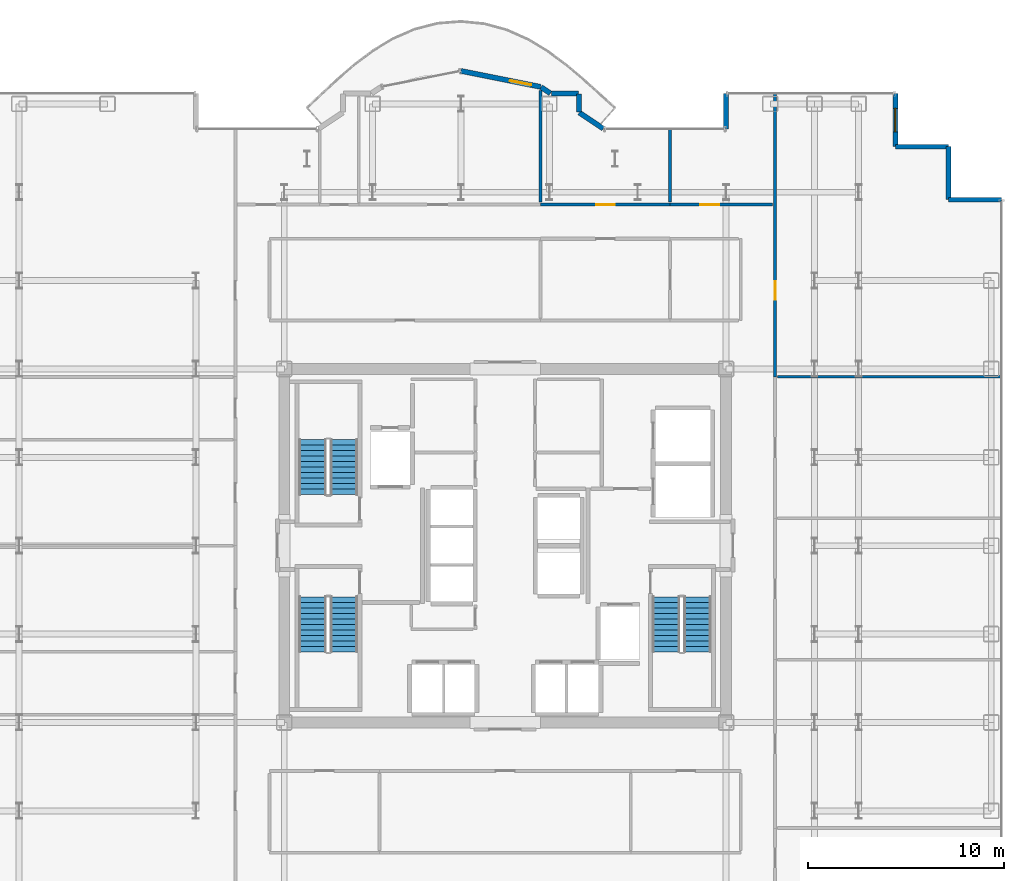
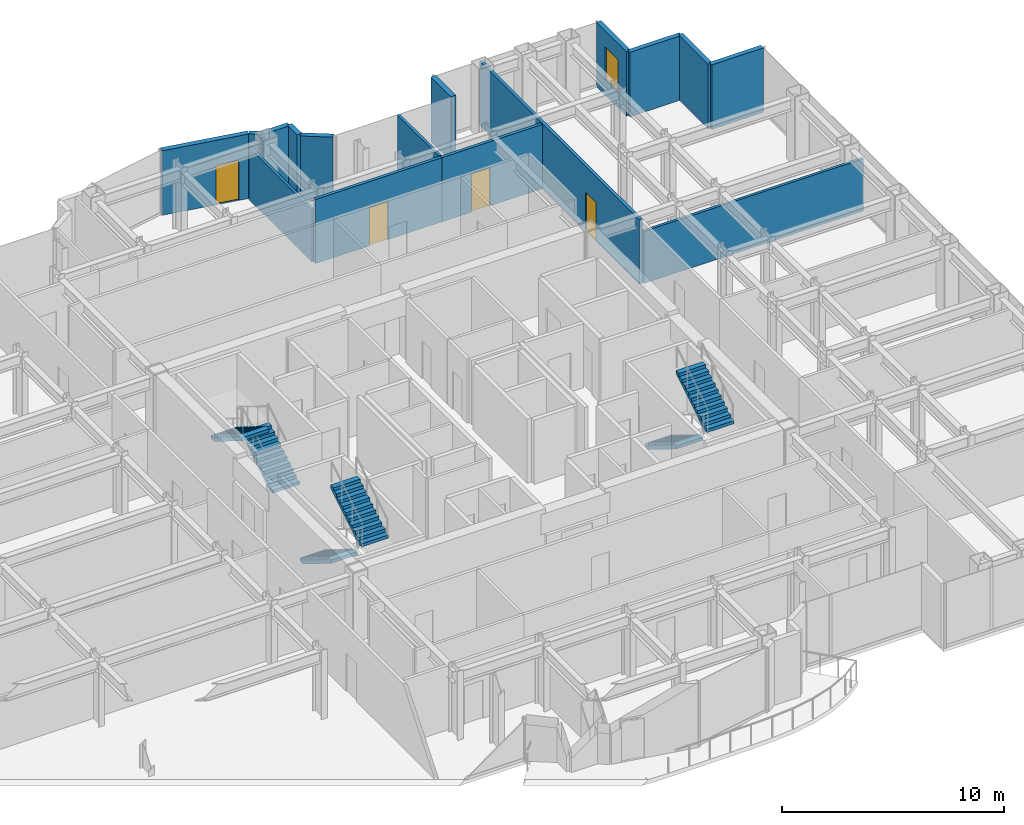
# One storey, part 20 of 22: 16 walls, 6 stair flights, 4 doors, 1 window, 5 openings, 3 elements without a shape of their own.
"""IFC4 building model written with IfcOpenShell, lengths in metres."""

from ifc_helpers import new_model, si_unit, direction, frame, frame_2d, origin, place, context, subcontext, project, spatial, polyline, rectangle, outline, extrude, source, transform, mapped, material, layer, layer_set, type_object, element, fill, aggregate, save


model = new_model("IFC4")

# Units and contexts
model_context = context("Model", 3, precision=1e-05, world=origin(), true_north=direction((0.0, 1.0)))
body_context = subcontext(model_context, "Body", "Model", "MODEL_VIEW")
ifc_project = project(units=[si_unit("LENGTHUNIT", "METRE"), si_unit("AREAUNIT", "SQUARE_METRE"), si_unit("VOLUMEUNIT", "CUBIC_METRE"), si_unit("PLANEANGLEUNIT", "RADIAN"), si_unit("MASSUNIT", "GRAM", prefix="KILO")], contexts=[model_context])

# Site, building, storey
site_placement = place(None, origin())
site = spatial("IfcSite", under=ifc_project, at=site_placement, CompositionType="ELEMENT")
building_placement = place(site_placement, origin())
building = spatial("IfcBuilding", under=site, at=building_placement, Name="Nefas-Gora Pilgrimage Tower", CompositionType="ELEMENT")
storey_placement = place(building_placement, frame((0.0, 0.0, 186.800048828125)))
storey = spatial("IfcBuildingStorey", under=building, at=storey_placement, Name="L46", CompositionType="ELEMENT", Elevation=186.800048828125)

# Walls
ifc_material_1 = material(Name="Precast concrete C40/50", Category="concrete")
ifc_layer_1 = layer(ifc_material_1, 0.260009765625)
ifc_layer_set_1 = layer_set([ifc_layer_1], Name="Precast concrete C40/50")
wall_type_1 = type_object("IfcWallType", Name="EW-PORTAL-260", PredefinedType="SOLIDWALL", material=ifc_layer_set_1)
shared_shape_1 = source(origin(), body_context, "Body", "SweptSolid", [
    extrude(rectangle(XDim=1.800048828125, YDim=0.260009765625, at=frame_2d((0.89990234375, 0.0))), origin(), (0.0, 0.0, 1.0), 3.550048828125),
])
wall_1_placement = place(storey_placement, frame((11.25, 23.02001953125, 0.0), z_axis=(0.0, 0.0, 1.0), x_axis=(0.0, -1.0, 0.0)))
element("IfcWall", 1, at=wall_1_placement, inside=storey, type_object=wall_type_1, Name="L46 Lobe Shoulder Precast Spandrel Pier 10", PredefinedType="SOLIDWALL", context=body_context, shape_type="MappedRepresentation", body=[
    mapped(shared_shape_1, transform((0.0, 0.0, 0.0), x_axis=(1.0, 0.0, 0.0), y_axis=(0.0, 1.0, 0.0), z_axis=(0.0, 0.0, 1.0), scale=1.0)),
])
ifc_material_2 = material(Name="Precast concrete C45/55", Category="concrete")
ifc_layer_2 = layer(ifc_material_2, 0.239990234375)
ifc_layer_set_2 = layer_set([ifc_layer_2], Name="Precast concrete C45/55")
wall_type_2 = type_object("IfcWallType", Name="EW-SERR-240", PredefinedType="SHEAR", material=ifc_layer_set_2)
shared_shape_2 = source(origin(), body_context, "Body", "SweptSolid", [
    extrude(rectangle(XDim=2.699951171875, YDim=0.239990234375, at=frame_2d((1.35009765625, 0.0))), origin(), (0.0, 0.0, 1.0), 3.550048828125),
])
for number, where, z_axis, x_axis, name in (
    (2, (25.27001953125, 17.6201171875, 0.0), (0.0, 0.0, 1.0), (-1.0, 0.0, 0.0), "L46 Serrated Corner Shear Pier Wall 6"),
    (3, (22.570068359375, 17.6201171875, 0.0), (0.0, 0.0, 1.0), (0.0, 1.0, 0.0), "L46 Serrated Corner Shear Pier Wall 7"),
    (4, (22.570068359375, 20.320068359375, 0.0), (0.0, 0.0, 1.0), (-1.0, 0.0, 0.0), "L46 Serrated Corner Shear Pier Wall 8"),
):
    element("IfcWall", number, at=place(storey_placement, frame(where, z_axis=z_axis, x_axis=x_axis)), inside=storey, type_object=wall_type_2, Name=name, PredefinedType="SHEAR", context=body_context, shape_type="MappedRepresentation", body=[
        mapped(shared_shape_2, transform((0.0, 0.0, 0.0), x_axis=(1.0, 0.0, 0.0), y_axis=(0.0, 1.0, 0.0), z_axis=(0.0, 0.0, 1.0), scale=1.0)),
    ])

# Wall, opening, window
wall_2_placement = place(storey_placement, frame((19.8701171875, 20.320068359375, 0.0), z_axis=(0.0, 0.0, 1.0), x_axis=(0.0, 1.0, 0.0)))
wall_2 = element("IfcWall", 5, at=wall_2_placement, inside=storey, type_object=wall_type_2, Name="L46 Serrated Corner Shear Pier Wall 9", PredefinedType="SHEAR", context=body_context, shape_type="MappedRepresentation", body=[
    mapped(shared_shape_2, transform((0.0, 0.0, 0.0), x_axis=(1.0, 0.0, 0.0), y_axis=(0.0, 1.0, 0.0), z_axis=(0.0, 0.0, 1.0), scale=1.0)),
])
opening_1_placement = place(wall_2_placement, frame((0.75, 0.0, 0.85009765625)))
opening_1 = element("IfcOpeningElement", 6, at=opening_1_placement, cuts=wall_2, Name="Opening W-V1", PredefinedType="OPENING", context=body_context, shape_type="SweptSolid", body=[
    extrude(rectangle(XDim=1.199951171875, YDim=1.800048828125, at=frame_2d((0.60009765625, 0.89990234375))), frame((0.0, 0.1298828125, 0.0), z_axis=(0.0, -1.0, 0.0), x_axis=(1.0, 0.0, 0.0)), (0.0, 0.0, 1.0), 0.260009765625),
])
ifc_material_3 = material(Name="Dark ceramic-fritted operable aluminium-glass window", Category="aluminium")
window_type = type_object("IfcWindowType", Name="WIN-VENT-1200x1800", PartitioningType="SINGLE_PANEL", PredefinedType="WINDOW", material=ifc_material_3)
shared_shape_3 = source(origin(), body_context, "Body", "SweptSolid", [
    extrude(rectangle(XDim=1.199951171875, YDim=1.800048828125, at=frame_2d((0.60009765625, 0.89990234375))), frame((0.0, 0.030029296875, 0.0), z_axis=(0.0, -1.0, 0.0), x_axis=(1.0, 0.0, 0.0)), (0.0, 0.0, 1.0), 0.06005859375),
])
window_placement = place(opening_1_placement, origin())
window = element("IfcWindow", 7, at=window_placement, inside=storey, type_object=window_type, Name="L46 Operable Parallel-Outswing Window 9", OverallHeight=1.800048828125, OverallWidth=1.199951171875, PartitioningType="SINGLE_PANEL", PredefinedType="WINDOW", context=body_context, shape_type="MappedRepresentation", body=[
    mapped(shared_shape_3, transform((0.0, 0.0, 0.0), x_axis=(1.0, 0.0, 0.0), y_axis=(0.0, 1.0, 0.0), z_axis=(0.0, 0.0, 1.0), scale=1.0)),
])
fill(opening_1, window)

# Walls
shared_shape_4 = source(origin(), body_context, "Body", "SweptSolid", [
    extrude(rectangle(XDim=1.468994140625, YDim=0.260009765625, at=frame_2d((0.734375, 0.0))), origin(), (0.0, 0.0, 1.0), 3.550048828125),
])
wall_3_placement = place(storey_placement, frame((4.99462890625, 21.235595703125, 0.0), z_axis=(0.0, 0.0, 1.0), x_axis=(-0.831461760506, 0.555581983884, 0.0)))
element("IfcWall", 8, at=wall_3_placement, inside=storey, type_object=wall_type_1, Name="L46 Lobe Shoulder Precast Spandrel Pier 11", PredefinedType="SOLIDWALL", context=body_context, shape_type="MappedRepresentation", body=[
    mapped(shared_shape_4, transform((0.0, 0.0, 0.0), x_axis=(1.0, 0.0, 0.0), y_axis=(0.0, 1.0, 0.0), z_axis=(0.0, 0.0, 1.0), scale=1.0)),
])
shared_shape_5 = source(origin(), body_context, "Body", "SweptSolid", [
    extrude(rectangle(XDim=0.896728515625, YDim=0.260009765625, at=frame_2d((0.4482421875, 0.0))), origin(), (0.0, 0.0, 1.0), 3.550048828125),
])
wall_4_placement = place(storey_placement, frame((3.75, 22.09521484375, 0.0), z_axis=(0.0, 0.0, 1.0), x_axis=(0.0, 1.0, 0.0)))
element("IfcWall", 9, at=wall_4_placement, inside=storey, type_object=wall_type_1, Name="L46 Lobe Shoulder Precast Spandrel Pier 12", PredefinedType="SOLIDWALL", context=body_context, shape_type="MappedRepresentation", body=[
    mapped(shared_shape_5, transform((0.0, 0.0, 0.0), x_axis=(1.0, 0.0, 0.0), y_axis=(0.0, 1.0, 0.0), z_axis=(0.0, 0.0, 1.0), scale=1.0)),
])
shared_shape_6 = source(origin(), body_context, "Body", "SweptSolid", [
    extrude(rectangle(XDim=1.369873046875, YDim=0.260009765625, at=frame_2d((0.68505859375, 0.0))), origin(), (0.0, 0.0, 1.0), 3.550048828125),
])
wall_5_placement = place(storey_placement, frame((3.721923828125, 23.02001953125, 0.0), z_axis=(0.0, 0.0, 1.0), x_axis=(-1.0, 0.0, 0.0)))
element("IfcWall", 10, at=wall_5_placement, inside=storey, type_object=wall_type_1, Name="L46 Lobe Shoulder Precast Spandrel Pier 13", PredefinedType="SOLIDWALL", context=body_context, shape_type="MappedRepresentation", body=[
    mapped(shared_shape_6, transform((0.0, 0.0, 0.0), x_axis=(1.0, 0.0, 0.0), y_axis=(0.0, 1.0, 0.0), z_axis=(0.0, 0.0, 1.0), scale=1.0)),
])
shared_shape_7 = source(origin(), body_context, "Body", "SweptSolid", [
    extrude(rectangle(XDim=0.5654296875, YDim=0.260009765625, at=frame_2d((0.28271484375, 0.0))), origin(), (0.0, 0.0, 1.0), 3.550048828125),
])
wall_6_placement = place(storey_placement, frame((2.30078125, 23.03564453125, 0.0), z_axis=(0.0, 0.0, 1.0), x_axis=(-0.831651492666, 0.555297933317, 0.0)))
element("IfcWall", 11, at=wall_6_placement, inside=storey, type_object=wall_type_1, Name="L46 Lobe Shoulder Precast Spandrel Pier 14", PredefinedType="SOLIDWALL", context=body_context, shape_type="MappedRepresentation", body=[
    mapped(shared_shape_7, transform((0.0, 0.0, 0.0), x_axis=(1.0, 0.0, 0.0), y_axis=(0.0, 1.0, 0.0), z_axis=(0.0, 0.0, 1.0), scale=1.0)),
])

# Wall, opening, door
shared_shape_8 = source(origin(), body_context, "Body", "SweptSolid", [
    extrude(rectangle(XDim=4.136962890625, YDim=0.260009765625, at=frame_2d((2.068359375, 0.0))), origin(), (0.0, 0.0, 1.0), 3.550048828125),
])
wall_7_placement = place(storey_placement, frame((1.807373046875, 23.365234375, 0.0), z_axis=(0.0, 0.0, 1.0), x_axis=(-0.980782170794, 0.195105954428, 0.0)))
wall_7 = element("IfcWall", 12, at=wall_7_placement, inside=storey, type_object=wall_type_1, Name="L46 Insulated Terrace Portal Wall 15", PredefinedType="SOLIDWALL", context=body_context, shape_type="MappedRepresentation", body=[
    mapped(shared_shape_8, transform((0.0, 0.0, 0.0), x_axis=(1.0, 0.0, 0.0), y_axis=(0.0, 1.0, 0.0), z_axis=(0.0, 0.0, 1.0), scale=1.0)),
])
opening_2_placement = place(wall_7_placement, frame((0.48779296875, 0.0, 0.0)))
opening_2 = element("IfcOpeningElement", 13, at=opening_2_placement, cuts=wall_7, Name="Opening ED-B1", PredefinedType="OPENING", context=body_context, shape_type="SweptSolid", body=[
    extrude(rectangle(XDim=1.10009765625, YDim=2.199951171875, at=frame_2d((0.550048828125, 1.10009765625))), frame((0.0, 0.139892578125, 0.0), z_axis=(0.0, -1.0, 0.0), x_axis=(1.0, 0.0, 0.0)), (0.0, 0.0, 1.0), 0.280029296875),
])
ifc_material_4 = material(Name="Thermally broken glazed aluminium balcony door", Category="aluminium")
door_type_1 = type_object("IfcDoorType", Name="DR-EXT-BAL-1100", OperationType="NOTDEFINED", PredefinedType="DOOR", material=ifc_material_4)
shared_shape_9 = source(origin(), body_context, "Body", "SweptSolid", [
    extrude(rectangle(XDim=1.10009765625, YDim=2.199951171875, at=frame_2d((0.550048828125, 1.10009765625))), frame((0.0, 0.02490234375, 0.0), z_axis=(0.0, -1.0, 0.0), x_axis=(1.0, 0.0, 0.0)), (0.0, 0.0, 1.0), 0.050048828125),
])
door_1_placement = place(opening_2_placement, origin())
door_1 = element("IfcDoor", 14, at=door_1_placement, inside=storey, type_object=door_type_1, Name="L46 Exterior Door (L46 N Lobe Wave Balcony)", OperationType="SINGLE_SWING_RIGHT", OverallHeight=2.199951171875, OverallWidth=1.10009765625, PredefinedType="DOOR", context=body_context, shape_type="MappedRepresentation", body=[
    mapped(shared_shape_9, transform((0.0, 0.0, 0.0), x_axis=(1.0, 0.0, 0.0), y_axis=(0.0, 1.0, 0.0), z_axis=(0.0, 0.0, 1.0), scale=1.0)),
])
fill(opening_2, door_1)

ifc_material_5 = material(Name="Gypsum acoustic stud partition")
ifc_layer_3 = layer(ifc_material_5, 0.159912109375)
ifc_layer_set_3 = layer_set([ifc_layer_3], Name="Gypsum acoustic stud partition")
wall_type_3 = type_object("IfcWallType", Name="IW-CORR-160", PredefinedType="PARTITIONING", material=ifc_layer_set_3)
shared_shape_10 = source(origin(), body_context, "Body", "SweptSolid", [
    extrude(rectangle(XDim=5.22509765625, YDim=0.159912109375, at=frame_2d((2.612548828125, 0.0))), origin(), (0.0, 0.0, 1.0), 3.534912109375),
])
wall_8_placement = place(storey_placement, frame((8.39501953125, 17.3701171875, 0.0), z_axis=(0.0, 0.0, 1.0), x_axis=(1.0, 0.0, 0.0)))
wall_8 = element("IfcWall", 15, at=wall_8_placement, inside=storey, type_object=wall_type_3, Name="L46 Pilgrim Contemplative Lounge Partition Wall 64", PredefinedType="PARTITIONING", context=body_context, shape_type="MappedRepresentation", body=[
    mapped(shared_shape_10, transform((0.0, 0.0, 0.0), x_axis=(1.0, 0.0, 0.0), y_axis=(0.0, 1.0, 0.0), z_axis=(0.0, 0.0, 1.0), scale=1.0)),
])
opening_3_placement = place(wall_8_placement, frame((1.543212890625, 0.0, 0.0)))
opening_3 = element("IfcOpeningElement", 16, at=opening_3_placement, cuts=wall_8, Name="Opening ID-GR1", PredefinedType="OPENING", context=body_context, shape_type="SweptSolid", body=[
    extrude(rectangle(XDim=0.949951171875, YDim=2.10009765625, at=frame_2d((0.47509765625, 1.050048828125))), frame((0.0, 0.08984375, 0.0), z_axis=(0.0, -1.0, 0.0), x_axis=(1.0, 0.0, 0.0)), (0.0, 0.0, 1.0), 0.179931640625),
])
ifc_material_6 = material(Name="Solid core oak fire-rated guest entrance door")
door_type_2 = type_object("IfcDoorType", Name="DR-INT-GUEST-950", OperationType="NOTDEFINED", PredefinedType="DOOR", material=ifc_material_6)
shared_shape_11 = source(origin(), body_context, "Body", "SweptSolid", [
    extrude(rectangle(XDim=0.949951171875, YDim=2.10009765625, at=frame_2d((0.47509765625, 1.050048828125))), frame((0.0, 0.02490234375, 0.0), z_axis=(0.0, -1.0, 0.0), x_axis=(1.0, 0.0, 0.0)), (0.0, 0.0, 1.0), 0.050048828125),
])
door_2_placement = place(opening_3_placement, origin())
door_2 = element("IfcDoor", 17, at=door_2_placement, inside=storey, type_object=door_type_2, Name="L46 Pilgrim Contemplative Lounge Door 30", OperationType="SINGLE_SWING_LEFT", OverallHeight=2.10009765625, OverallWidth=0.949951171875, PredefinedType="DOOR", context=body_context, shape_type="MappedRepresentation", body=[
    mapped(shared_shape_11, transform((0.0, 0.0, 0.0), x_axis=(1.0, 0.0, 0.0), y_axis=(0.0, 1.0, 0.0), z_axis=(0.0, 0.0, 1.0), scale=1.0)),
])
fill(opening_3, door_2)

shared_shape_12 = source(origin(), body_context, "Body", "SweptSolid", [
    extrude(rectangle(XDim=14.45263671875, YDim=0.159912109375, at=frame_2d((7.226318359375, 0.0))), origin(), (0.0, 0.0, 1.0), 3.534912109375),
])
wall_9_placement = place(storey_placement, frame((13.739990234375, 8.58740234375, 0.0), z_axis=(0.0, 0.0, 1.0), x_axis=(0.0, 1.0, 0.0)))
wall_9 = element("IfcWall", 18, at=wall_9_placement, inside=storey, type_object=wall_type_3, Name="L46 Pilgrim Contemplative Lounge Partition Wall 47", PredefinedType="PARTITIONING", context=body_context, shape_type="MappedRepresentation", body=[
    mapped(shared_shape_12, transform((0.0, 0.0, 0.0), x_axis=(1.0, 0.0, 0.0), y_axis=(0.0, 1.0, 0.0), z_axis=(0.0, 0.0, 1.0), scale=1.0)),
])
opening_4_placement = place(wall_9_placement, frame((3.936279296875, 0.0, 0.0)))
opening_4 = element("IfcOpeningElement", 19, at=opening_4_placement, cuts=wall_9, Name="Opening ID-GR1", PredefinedType="OPENING", context=body_context, shape_type="SweptSolid", body=[
    extrude(rectangle(XDim=0.949951171875, YDim=2.10009765625, at=frame_2d((0.47509765625, 1.050048828125))), frame((0.0, 0.08984375, 0.0), z_axis=(0.0, -1.0, 0.0), x_axis=(1.0, 0.0, 0.0)), (0.0, 0.0, 1.0), 0.179931640625),
])
door_3_placement = place(opening_4_placement, origin())
door_3 = element("IfcDoor", 20, at=door_3_placement, inside=storey, type_object=door_type_2, Name="L46 Pilgrim Contemplative Lounge Door 21", OperationType="SINGLE_SWING_RIGHT", OverallHeight=2.10009765625, OverallWidth=0.949951171875, PredefinedType="DOOR", context=body_context, shape_type="MappedRepresentation", body=[
    mapped(shared_shape_11, transform((0.0, 0.0, 0.0), x_axis=(1.0, 0.0, 0.0), y_axis=(0.0, 1.0, 0.0), z_axis=(0.0, 0.0, 1.0), scale=1.0)),
])
fill(opening_4, door_3)

shared_shape_13 = source(origin(), body_context, "Body", "SweptSolid", [
    extrude(rectangle(XDim=6.610107421875, YDim=0.159912109375, at=frame_2d((3.30517578125, 0.0))), origin(), (0.0, 0.0, 1.0), 3.534912109375),
])
wall_10_placement = place(storey_placement, frame((1.794921875, 17.3701171875, 0.0), z_axis=(0.0, 0.0, 1.0), x_axis=(1.0, 0.0, 0.0)))
wall_10 = element("IfcWall", 21, at=wall_10_placement, inside=storey, type_object=wall_type_3, Name="L46 Pilgrim Contemplative Lounge Partition Wall 59", PredefinedType="PARTITIONING", context=body_context, shape_type="MappedRepresentation", body=[
    mapped(shared_shape_13, transform((0.0, 0.0, 0.0), x_axis=(1.0, 0.0, 0.0), y_axis=(0.0, 1.0, 0.0), z_axis=(0.0, 0.0, 1.0), scale=1.0)),
])
opening_5_placement = place(wall_10_placement, frame((2.830078125, 0.0, 0.0)))
opening_5 = element("IfcOpeningElement", 22, at=opening_5_placement, cuts=wall_10, Name="Opening ID-GR1", PredefinedType="OPENING", context=body_context, shape_type="SweptSolid", body=[
    extrude(rectangle(XDim=0.949951171875, YDim=2.10009765625, at=frame_2d((0.47509765625, 1.050048828125))), frame((0.0, 0.08984375, 0.0), z_axis=(0.0, -1.0, 0.0), x_axis=(1.0, 0.0, 0.0)), (0.0, 0.0, 1.0), 0.179931640625),
])
door_4_placement = place(opening_5_placement, origin())
door_4 = element("IfcDoor", 23, at=door_4_placement, inside=storey, type_object=door_type_2, Name="L46 Pilgrim Contemplative Lounge Door 27", OperationType="SINGLE_SWING_RIGHT", OverallHeight=2.10009765625, OverallWidth=0.949951171875, PredefinedType="DOOR", context=body_context, shape_type="MappedRepresentation", body=[
    mapped(shared_shape_11, transform((0.0, 0.0, 0.0), x_axis=(1.0, 0.0, 0.0), y_axis=(0.0, 1.0, 0.0), z_axis=(0.0, 0.0, 1.0), scale=1.0)),
])
fill(opening_5, door_4)

# Walls
ifc_material_7 = material(Name="Gypsum twin-stud partition")
ifc_layer_4 = layer(ifc_material_7, 0.139892578125)
ifc_layer_set_4 = layer_set([ifc_layer_4], Name="Gypsum twin-stud partition")
wall_type_4 = type_object("IfcWallType", Name="IW-UNIT-140", PredefinedType="PARTITIONING", material=ifc_layer_set_4)
shared_shape_14 = source(origin(), body_context, "Body", "SweptSolid", [
    extrude(rectangle(XDim=3.75, YDim=0.139892578125, at=frame_2d((1.875, 0.0))), origin(), (0.0, 0.0, 1.0), 3.534912109375),
])
wall_11_placement = place(storey_placement, frame((8.39501953125, 17.489990234375, 0.0), z_axis=(0.0, 0.0, 1.0), x_axis=(0.0, 1.0, 0.0)))
element("IfcWall", 24, at=wall_11_placement, inside=storey, type_object=wall_type_4, Name="L46 Pilgrim Contemplative Lounge Partition Wall 60", PredefinedType="PARTITIONING", context=body_context, shape_type="MappedRepresentation", body=[
    mapped(shared_shape_14, transform((0.0, 0.0, 0.0), x_axis=(1.0, 0.0, 0.0), y_axis=(0.0, 1.0, 0.0), z_axis=(0.0, 0.0, 1.0), scale=1.0)),
])
shared_shape_15 = source(origin(), body_context, "Body", "SweptSolid", [
    extrude(rectangle(XDim=11.429931640625, YDim=0.139892578125, at=frame_2d((5.71484375, 0.0))), origin(), (0.0, 0.0, 1.0), 2.875),
])
wall_12_placement = place(storey_placement, frame((13.860107421875, 8.597412109375, 0.0), z_axis=(0.0, 0.0, 1.0), x_axis=(1.0, 0.0, 0.0)))
element("IfcWall", 25, at=wall_12_placement, inside=storey, type_object=wall_type_4, Name="L46 Pilgrim Contemplative Lounge Partition Wall 48", PredefinedType="PARTITIONING", context=body_context, shape_type="MappedRepresentation", body=[
    mapped(shared_shape_15, transform((0.0, 0.0, 0.0), x_axis=(1.0, 0.0, 0.0), y_axis=(0.0, 1.0, 0.0), z_axis=(0.0, 0.0, 1.0), scale=1.0)),
])
shared_shape_16 = source(origin(), body_context, "Body", "SweptSolid", [
    extrude(rectangle(XDim=5.681396484375, YDim=0.139892578125, at=frame_2d((2.8408203125, 0.0))), origin(), (0.0, 0.0, 1.0), 2.875),
])
wall_13_placement = place(storey_placement, frame((1.794921875, 17.489990234375, 0.0), z_axis=(0.0, 0.0, 1.0), x_axis=(0.0, 1.0, 0.0)))
element("IfcWall", 26, at=wall_13_placement, inside=storey, type_object=wall_type_4, Name="L46 Pilgrim Contemplative Lounge Partition Wall 57", PredefinedType="PARTITIONING", context=body_context, shape_type="MappedRepresentation", body=[
    mapped(shared_shape_16, transform((0.0, 0.0, 0.0), x_axis=(1.0, 0.0, 0.0), y_axis=(0.0, 1.0, 0.0), z_axis=(0.0, 0.0, 1.0), scale=1.0)),
])

# Stair, stair flights
ifc_material_8 = material(Name="Concrete C45/55", Category="concrete")
stair_type = type_object("IfcStairType", Name="STR-1400-R1727", PredefinedType="HALF_TURN_STAIR", material=ifc_material_8)
stair_1_placement = place(storey_placement, origin())
stair_1 = element("IfcStair", 27, at=stair_1_placement, inside=storey, type_object=stair_type, Name="L46 Pressurised Tower Exit Stair ST-01", PredefinedType="HALF_TURN_STAIR")
stair_flight_type = type_object("IfcStairFlightType", Name="STF-1400-R1727", PredefinedType="STRAIGHT", material=ifc_material_8)
shared_shape_17 = source(origin(), body_context, "Body", "SweptSolid", [
    extrude(outline(polyline([(0.0, 0.0), (0.0, 0.172607421875), (0.280029296875, 0.172607421875), (0.280029296875, 0.345458984375), (0.56005859375, 0.345458984375), (0.56005859375, 0.51806640625), (0.840087890625, 0.51806640625), (0.840087890625, 0.69091796875), (1.1201171875, 0.69091796875), (1.1201171875, 0.863525390625), (1.39990234375, 0.863525390625), (1.39990234375, 1.036376953125), (1.679931640625, 1.036376953125), (1.679931640625, 1.208984375), (1.9599609375, 1.208984375), (1.9599609375, 1.3818359375), (2.239990234375, 1.3818359375), (2.239990234375, 1.554443359375), (2.52001953125, 1.554443359375), (2.52001953125, 1.727294921875), (2.800048828125, 1.727294921875), (2.800048828125, 1.89990234375), (2.800048828125, 1.551025390625), (0.285400390625, 0.0), (0.0, 0.0)])), frame((0.0, 0.699951171875, 0.0), z_axis=(0.0, -1.0, 0.0), x_axis=(1.0, 0.0, 0.0)), (0.0, 0.0, 1.0), 1.39990234375),
])
stair_flight_1_placement = place(storey_placement, frame((-8.199951171875, 2.60009765625, 0.0), z_axis=(0.0, 0.0, 1.0), x_axis=(0.0, 1.0, 0.0)))
stair_flight_1 = element("IfcStairFlight", 28, at=stair_flight_1_placement, type_object=stair_flight_type, Name="ST-01 flight 1", NumberOfRisers=11, NumberOfTreads=10, PredefinedType="STRAIGHT", RiserHeight=0.172727273, TreadLength=0.28, context=body_context, shape_type="MappedRepresentation", body=[
    mapped(shared_shape_17, transform((0.0, 0.0, 0.0), x_axis=(1.0, 0.0, 0.0), y_axis=(0.0, 1.0, 0.0), z_axis=(0.0, 0.0, 1.0), scale=1.0)),
])
stair_flight_2_placement = place(storey_placement, frame((-9.800048828125, 5.39990234375, 1.89990234375), z_axis=(0.0, 0.0, 1.0), x_axis=(0.0, -1.0, 0.0)))
stair_flight_2 = element("IfcStairFlight", 29, at=stair_flight_2_placement, type_object=stair_flight_type, Name="ST-01 flight 2", NumberOfRisers=11, NumberOfTreads=10, PredefinedType="STRAIGHT", RiserHeight=0.172727273, TreadLength=0.28, context=body_context, shape_type="MappedRepresentation", body=[
    mapped(shared_shape_17, transform((0.0, 0.0, 0.0), x_axis=(1.0, 0.0, 0.0), y_axis=(0.0, 1.0, 0.0), z_axis=(0.0, 0.0, 1.0), scale=1.0)),
])
aggregate(stair_1, [stair_flight_1, stair_flight_2])

stair_2_placement = place(storey_placement, origin())
stair_2 = element("IfcStair", 30, at=stair_2_placement, inside=storey, type_object=stair_type, Name="L46 Pressurised Tower Exit Stair ST-02", PredefinedType="HALF_TURN_STAIR")
stair_flight_3_placement = place(storey_placement, frame((8.199951171875, -2.60009765625, 0.0), z_axis=(0.0, 0.0, 1.0), x_axis=(0.0, -1.0, 0.0)))
stair_flight_3 = element("IfcStairFlight", 31, at=stair_flight_3_placement, type_object=stair_flight_type, Name="ST-02 flight 1", NumberOfRisers=11, NumberOfTreads=10, PredefinedType="STRAIGHT", RiserHeight=0.172727273, TreadLength=0.28, context=body_context, shape_type="MappedRepresentation", body=[
    mapped(shared_shape_17, transform((0.0, 0.0, 0.0), x_axis=(1.0, 0.0, 0.0), y_axis=(0.0, 1.0, 0.0), z_axis=(0.0, 0.0, 1.0), scale=1.0)),
])
stair_flight_4_placement = place(storey_placement, frame((9.800048828125, -5.39990234375, 1.89990234375), z_axis=(0.0, 0.0, 1.0), x_axis=(0.0, 1.0, 0.0)))
stair_flight_4 = element("IfcStairFlight", 32, at=stair_flight_4_placement, type_object=stair_flight_type, Name="ST-02 flight 2", NumberOfRisers=11, NumberOfTreads=10, PredefinedType="STRAIGHT", RiserHeight=0.172727273, TreadLength=0.28, context=body_context, shape_type="MappedRepresentation", body=[
    mapped(shared_shape_17, transform((0.0, 0.0, 0.0), x_axis=(1.0, 0.0, 0.0), y_axis=(0.0, 1.0, 0.0), z_axis=(0.0, 0.0, 1.0), scale=1.0)),
])
aggregate(stair_2, [stair_flight_3, stair_flight_4])

stair_3_placement = place(storey_placement, origin())
stair_3 = element("IfcStair", 33, at=stair_3_placement, inside=storey, type_object=stair_type, Name="L46 Pressurised Tower Exit Stair ST-03", PredefinedType="HALF_TURN_STAIR")
stair_flight_5_placement = place(storey_placement, frame((-9.800048828125, -2.60009765625, 0.0), z_axis=(0.0, 0.0, 1.0), x_axis=(0.0, -1.0, 0.0)))
stair_flight_5 = element("IfcStairFlight", 34, at=stair_flight_5_placement, type_object=stair_flight_type, Name="ST-03 flight 1", NumberOfRisers=11, NumberOfTreads=10, PredefinedType="STRAIGHT", RiserHeight=0.172727273, TreadLength=0.28, context=body_context, shape_type="MappedRepresentation", body=[
    mapped(shared_shape_17, transform((0.0, 0.0, 0.0), x_axis=(1.0, 0.0, 0.0), y_axis=(0.0, 1.0, 0.0), z_axis=(0.0, 0.0, 1.0), scale=1.0)),
])
stair_flight_6_placement = place(storey_placement, frame((-8.199951171875, -5.39990234375, 1.89990234375), z_axis=(0.0, 0.0, 1.0), x_axis=(0.0, 1.0, 0.0)))
stair_flight_6 = element("IfcStairFlight", 35, at=stair_flight_6_placement, type_object=stair_flight_type, Name="ST-03 flight 2", NumberOfRisers=11, NumberOfTreads=10, PredefinedType="STRAIGHT", RiserHeight=0.172727273, TreadLength=0.28, context=body_context, shape_type="MappedRepresentation", body=[
    mapped(shared_shape_17, transform((0.0, 0.0, 0.0), x_axis=(1.0, 0.0, 0.0), y_axis=(0.0, 1.0, 0.0), z_axis=(0.0, 0.0, 1.0), scale=1.0)),
])
aggregate(stair_3, [stair_flight_5, stair_flight_6])

save(model, "model.ifc")
